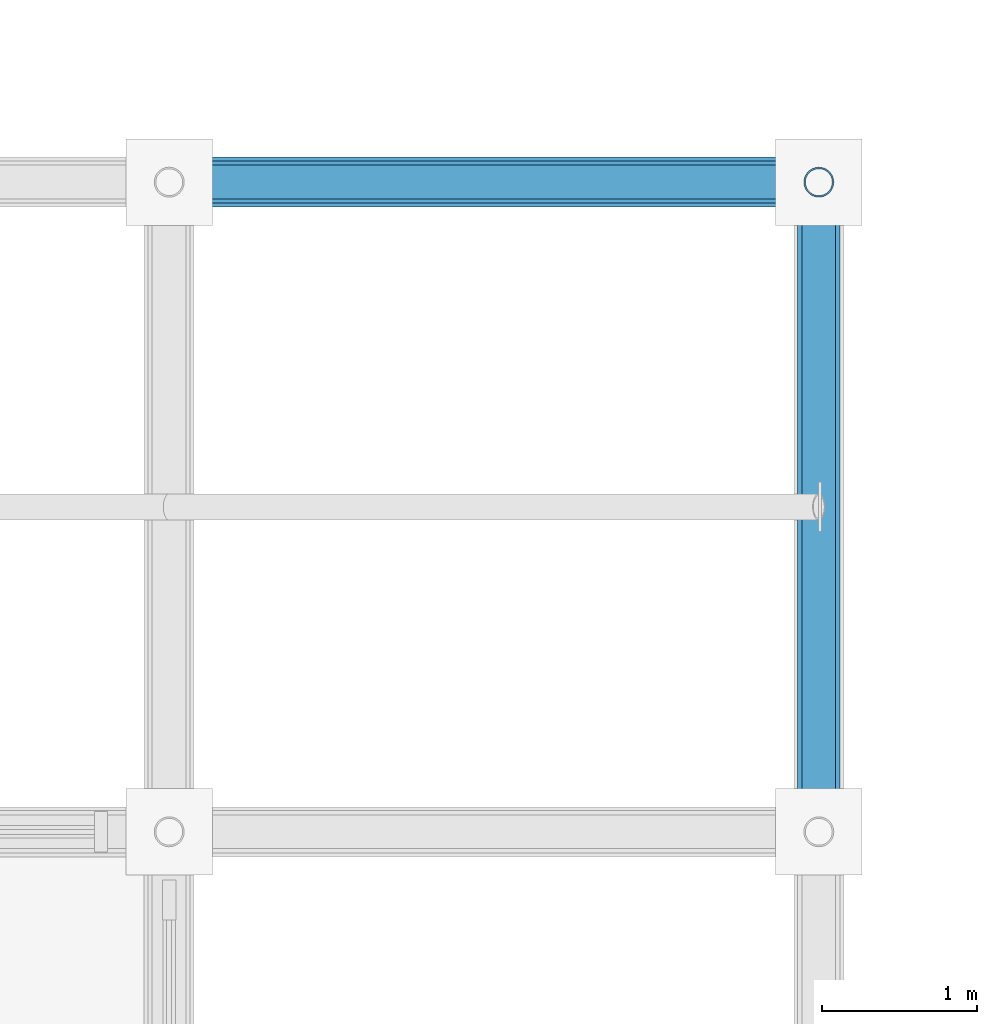
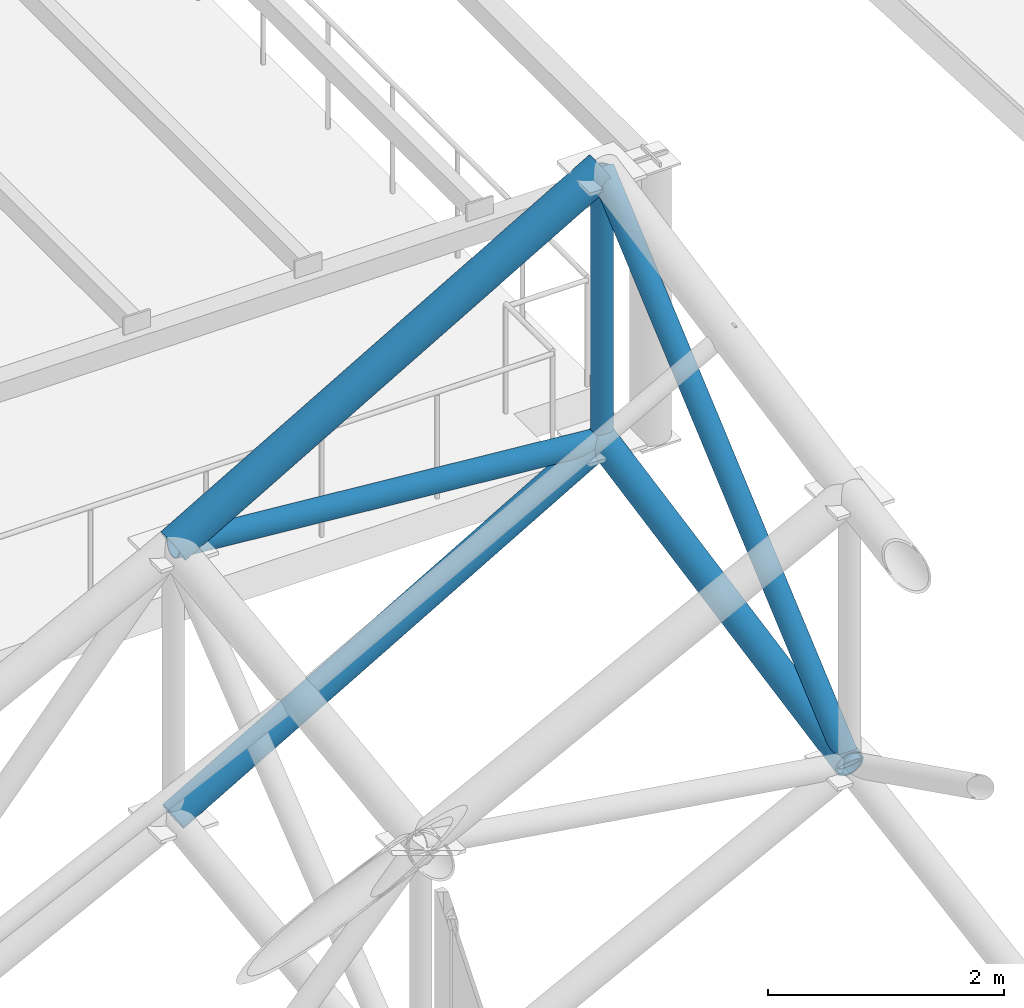
# One storey, part 57 of 93: 6 members.
"""IFC4 building model written with IfcOpenShell, lengths in metres."""

from ifc_helpers import new_model, si_unit, direction, frame, origin, origin_2d, place, context, subcontext, project, spatial, hollow_circle, extrude, material, material_profile, profile_set, type_object, element, save


model = new_model("IFC4")

# Units and contexts
model_context = context("Model", 3, precision=1e-05, world=origin(), true_north=direction((0.0, 1.0)))
body_context = subcontext(model_context, "Body", "Model", "MODEL_VIEW")
ifc_project = project(units=[si_unit("LENGTHUNIT", "METRE"), si_unit("AREAUNIT", "SQUARE_METRE"), si_unit("VOLUMEUNIT", "CUBIC_METRE"), si_unit("PLANEANGLEUNIT", "RADIAN"), si_unit("MASSUNIT", "GRAM", prefix="KILO")], contexts=[model_context])

# Site, building, storey
site_placement = place(None, origin())
site = spatial("IfcSite", under=ifc_project, at=site_placement, CompositionType="ELEMENT")
building_placement = place(site_placement, origin())
building = spatial("IfcBuilding", under=site, at=building_placement, Name="Cumbredor Promenade Congress Hotel", CompositionType="ELEMENT")
storey_placement = place(building_placement, frame((0.0, 0.0, 21.840087890625)))
storey = spatial("IfcBuildingStorey", under=building, at=storey_placement, Name="L06", CompositionType="ELEMENT", Elevation=21.840087890625)

# Members
ifc_material = material(Name="Steel ASTM A500 Grade C", Category="steel")
ifc_material_profile_1 = material_profile(ifc_material, hollow_circle(Radius=0.136474609375, WallThickness=0.01611328125, at=origin_2d()), Name="CHS 273.0x16")
ifc_profile_set_1 = profile_set([ifc_material_profile_1], Name="Steel ASTM A500 Grade C")
member_type_1 = type_object("IfcMemberType", Name="Plenary Roof Space Frame Bottom Chord", PredefinedType="CHORD", material=ifc_profile_set_1)
member_1_placement = place(storey_placement, frame((67.199951171875, 71.39990234375, 14.66455078125), z_axis=(0.865134625369, 0.0, 0.501539709283), x_axis=(0.0, 1.0, 0.0)))
element("IfcMember", 1, at=member_1_placement, inside=storey, type_object=member_type_1, Name="Plenary Congress Hall X Bottom Chord 18.18", PredefinedType="CHORD", context=body_context, shape_type="SweptSolid", body=[
    extrude(hollow_circle(Radius=0.136474609375, WallThickness=0.01611328125, at=origin_2d()), origin(), (0.0, 0.0, 1.0), 4.854736328125),
])
member_2_placement = place(storey_placement, frame((71.39990234375, 67.199951171875, 16.285400390625), z_axis=(0.0, 0.981733113687, 0.190263221591), x_axis=(-1.0, 0.0, 0.0)))
element("IfcMember", 2, at=member_2_placement, inside=storey, type_object=member_type_1, Name="Plenary Congress Hall Y Bottom Chord 19.17", PredefinedType="CHORD", context=body_context, shape_type="SweptSolid", body=[
    extrude(hollow_circle(Radius=0.136474609375, WallThickness=0.01611328125, at=origin_2d()), origin(), (0.0, 0.0, 1.0), 4.278076171875),
])
ifc_material_profile_2 = material_profile(ifc_material, hollow_circle(Radius=0.161865234375, WallThickness=0.01611328125, at=origin_2d()), Name="CHS 323.9x16")
ifc_profile_set_2 = profile_set([ifc_material_profile_2], Name="Steel ASTM A500 Grade C")
member_type_2 = type_object("IfcMemberType", Name="Plenary Roof Space Frame Top Chord", PredefinedType="CHORD", material=ifc_profile_set_2)
member_3_placement = place(storey_placement, frame((67.199951171875, 71.39990234375, 17.464599609375), z_axis=(0.865134625369, 0.0, 0.501539709283), x_axis=(0.0, 1.0, 0.0)))
element("IfcMember", 3, at=member_3_placement, inside=storey, type_object=member_type_2, Name="Plenary Congress Hall X Top Chord 18.18", PredefinedType="CHORD", context=body_context, shape_type="SweptSolid", body=[
    extrude(hollow_circle(Radius=0.161865234375, WallThickness=0.01611328125, at=origin_2d()), origin(), (0.0, 0.0, 1.0), 4.854736328125),
])
ifc_material_profile_3 = material_profile(ifc_material, hollow_circle(Radius=0.109619140625, WallThickness=0.012451171875, at=origin_2d()), Name="CHS 219.1x12.5")
ifc_profile_set_3 = profile_set([ifc_material_profile_3], Name="Steel ASTM A500 Grade C")
member_type_3 = type_object("IfcMemberType", Name="Space Frame Web Diagonal D1", PredefinedType="BRACE", material=ifc_profile_set_3)
member_4_placement = place(storey_placement, frame((67.199951171875, 71.39990234375, 17.464599609375), z_axis=(0.99624015358, 0.0, -0.086634614297), x_axis=(0.0, 1.0, 0.0)))
element("IfcMember", 4, at=member_4_placement, inside=storey, type_object=member_type_3, Name="Plenary Congress Hall X Web Diagonal 18.18", PredefinedType="BRACE", context=body_context, shape_type="SweptSolid", body=[
    extrude(hollow_circle(Radius=0.109619140625, WallThickness=0.012451171875, at=origin_2d()), origin(), (0.0, 0.0, 1.0), 4.2158203125),
])
member_5_placement = place(storey_placement, frame((71.39990234375, 67.199951171875, 16.285400390625), z_axis=(0.0, 0.758001754562, 0.652252512514), x_axis=(-1.0, 0.0, 0.0)))
element("IfcMember", 5, at=member_5_placement, inside=storey, type_object=member_type_3, Name="Plenary Congress Hall Y Web Diagonal 19.17", PredefinedType="BRACE", context=body_context, shape_type="SweptSolid", body=[
    extrude(hollow_circle(Radius=0.109619140625, WallThickness=0.012451171875, at=origin_2d()), origin(), (0.0, 0.0, 1.0), 5.540771484375),
])
ifc_material_profile_4 = material_profile(ifc_material, hollow_circle(Radius=0.096923828125, WallThickness=0.010009765625, at=origin_2d()), Name="CHS 193.7x10")
ifc_profile_set_4 = profile_set([ifc_material_profile_4], Name="Steel ASTM A500 Grade C")
member_type_4 = type_object("IfcMemberType", Name="Space Frame Web Post P1", PredefinedType="BRACE", material=ifc_profile_set_4)
member_6_placement = place(storey_placement, frame((71.39990234375, 71.39990234375, 17.099365234375), z_axis=(0.0, 0.0, 1.0), x_axis=(1.0, 0.0, 0.0)))
element("IfcMember", 6, at=member_6_placement, inside=storey, type_object=member_type_4, Name="Plenary Congress Hall Space Frame Web Post 19.18", PredefinedType="BRACE", context=body_context, shape_type="SweptSolid", body=[
    extrude(hollow_circle(Radius=0.096923828125, WallThickness=0.010009765625, at=origin_2d()), origin(), (0.0, 0.0, 1.0), 2.800048828125),
])

save(model, "model.ifc")
